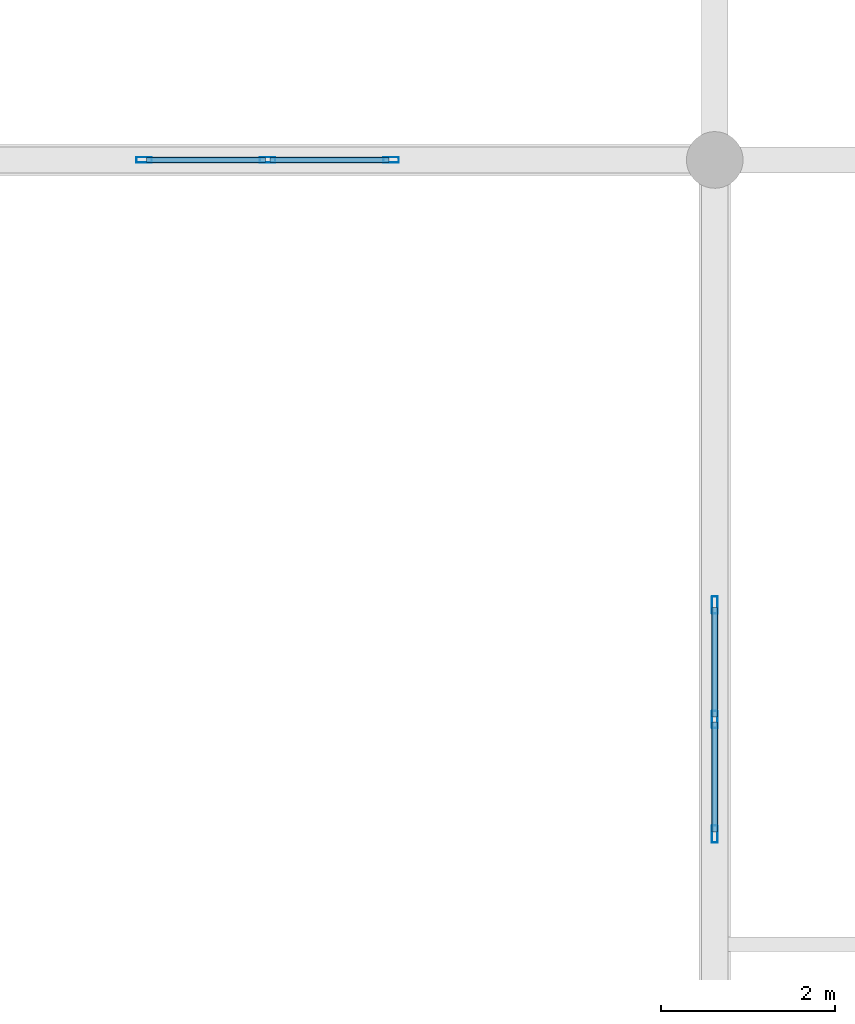
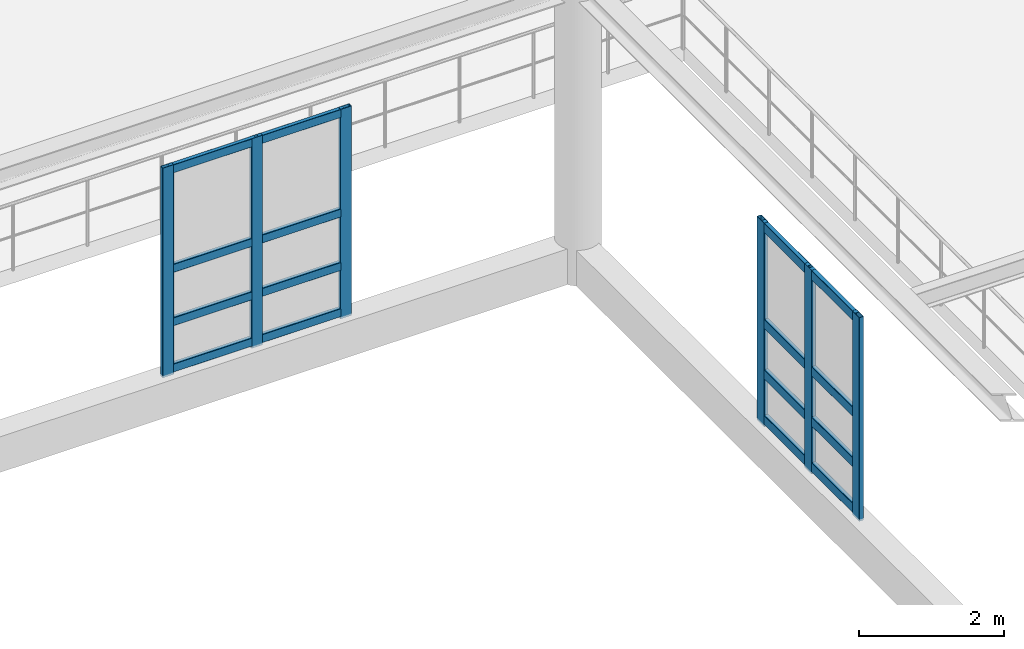
# One storey, part 77 of 197: 22 members, 2 elements without a shape of their own.
"""IFC4 building model written with IfcOpenShell, lengths in metres."""

from ifc_helpers import new_model, si_unit, derived_unit, direction, frame, origin, origin_2d, place, context, subcontext, project, spatial, hollow_rectangle, extrude, material, layer, layer_set, material_profile, profile_set, type_object, element, aggregate, save


model = new_model("IFC4")

# Units and contexts
model_context = context("Model", 3, precision=1e-05, world=origin(), true_north=direction((0.0, 1.0)))
body_context = subcontext(model_context, "Body", "Model", "MODEL_VIEW")
ifc_project = project(units=[si_unit("LENGTHUNIT", "METRE"), si_unit("AREAUNIT", "SQUARE_METRE"), si_unit("VOLUMEUNIT", "CUBIC_METRE"), si_unit("PLANEANGLEUNIT", "RADIAN"), si_unit("MASSUNIT", "GRAM", prefix="KILO"), derived_unit("THERMALTRANSMITTANCEUNIT", [(si_unit("POWERUNIT", "WATT"), 1), (si_unit("LENGTHUNIT", "METRE"), -2), (si_unit("THERMODYNAMICTEMPERATUREUNIT", "KELVIN"), -1)])], contexts=[model_context])

# Site, building, storey
site_placement = place(None, origin())
site = spatial("IfcSite", under=ifc_project, at=site_placement, CompositionType="ELEMENT")
building_placement = place(site_placement, origin())
building = spatial("IfcBuilding", under=site, at=building_placement, Name="Almenara Railside Exhibition Hall", CompositionType="ELEMENT")
storey_placement = place(building_placement, frame((0.0, 0.0, 5.39990234375)))
storey = spatial("IfcBuildingStorey", under=building, at=storey_placement, Name="L01", CompositionType="ELEMENT", Elevation=5.39990234375)

# Curtain wall, members
ifc_material_1 = material(Name="Bronze-anodised aluminium and low-E double glazing", Category="aluminium")
ifc_layer_1 = layer(ifc_material_1, 0.179931640625, Name="Bronze-anodised aluminium and low-E double glazing")
ifc_layer_set_1 = layer_set([ifc_layer_1], Name="Bronze-anodised aluminium and low-E double glazing")
curtain_wall_type_1 = type_object("IfcCurtainWallType", Name="Courtyard East Galeria Curtain Wall 2900x3500", PredefinedType="NOTDEFINED", material=ifc_layer_set_1)
curtain_wall_1_placement = place(storey_placement, origin())
curtain_wall_1 = element("IfcCurtainWall", 1, at=curtain_wall_1_placement, inside=storey, type_object=curtain_wall_type_1, Name="Curtain wall CW-CY2-152", PredefinedType="NOTDEFINED")
ifc_material_2 = material(Name="Bronze-anodised aluminium", Category="aluminium")
ifc_material_profile_1 = material_profile(ifc_material_2, hollow_rectangle(XDim=0.06494140625, YDim=0.179931640625, WallThickness=0.00390625, InnerFilletRadius=0.00390625, OuterFilletRadius=0.008056640625, at=origin_2d()), Name="ALU-MUL 65x180x4")
ifc_profile_set_1 = profile_set([ifc_material_profile_1], Name="Bronze-anodised aluminium")
member_type_1 = type_object("IfcMemberType", Name="Curtain Wall Mullion 65x180x4", PredefinedType="MULLION", material=ifc_profile_set_1)
member_1_placement = place(storey_placement, frame((116.28564453125, 90.0, 0.565185546875), z_axis=(0.0, 0.0, 1.0), x_axis=(0.0, -1.0, 0.0)))
member_1 = element("IfcMember", 2, at=member_1_placement, type_object=member_type_1, Name="CW-CY2-152 mullion 1", PredefinedType="MULLION", context=body_context, shape_type="SweptSolid", body=[
    extrude(hollow_rectangle(XDim=0.06494140625, YDim=0.179931640625, WallThickness=0.00390625, InnerFilletRadius=0.00390625, OuterFilletRadius=0.008056640625, at=origin_2d()), origin(), (0.0, 0.0, 1.0), 3.534912109375),
])
member_2_placement = place(storey_placement, frame((114.8681640625, 90.0, 0.565185546875), z_axis=(0.0, 0.0, 1.0), x_axis=(0.0, -1.0, 0.0)))
member_2 = element("IfcMember", 3, at=member_2_placement, type_object=member_type_1, Name="CW-CY2-152 mullion 2", PredefinedType="MULLION", context=body_context, shape_type="SweptSolid", body=[
    extrude(hollow_rectangle(XDim=0.06494140625, YDim=0.179931640625, WallThickness=0.00390625, InnerFilletRadius=0.00390625, OuterFilletRadius=0.008056640625, at=origin_2d()), origin(), (0.0, 0.0, 1.0), 3.534912109375),
])
member_3_placement = place(storey_placement, frame((113.45068359375, 90.0, 0.565185546875), z_axis=(0.0, 0.0, 1.0), x_axis=(0.0, -1.0, 0.0)))
member_3 = element("IfcMember", 4, at=member_3_placement, type_object=member_type_1, Name="CW-CY2-152 mullion 3", PredefinedType="MULLION", context=body_context, shape_type="SweptSolid", body=[
    extrude(hollow_rectangle(XDim=0.06494140625, YDim=0.179931640625, WallThickness=0.00390625, InnerFilletRadius=0.00390625, OuterFilletRadius=0.008056640625, at=origin_2d()), origin(), (0.0, 0.0, 1.0), 3.534912109375),
])

ifc_layer_2 = layer(ifc_material_1, 0.179931640625, Name="Bronze-anodised aluminium and low-E double glazing")
ifc_layer_set_2 = layer_set([ifc_layer_2], Name="Bronze-anodised aluminium and low-E double glazing")
curtain_wall_type_2 = type_object("IfcCurtainWallType", Name="Courtyard South Galeria Curtain Wall 2700x3400", PredefinedType="NOTDEFINED", material=ifc_layer_set_2)
curtain_wall_2_placement = place(storey_placement, origin())
curtain_wall_2 = element("IfcCurtainWall", 5, at=curtain_wall_2_placement, inside=storey, type_object=curtain_wall_type_2, Name="Curtain wall CW-CY3-151", PredefinedType="NOTDEFINED")
ifc_material_profile_2 = material_profile(ifc_material_2, hollow_rectangle(XDim=0.070068359375, YDim=0.199951171875, WallThickness=0.00439453125, InnerFilletRadius=0.00439453125, OuterFilletRadius=0.009033203125, at=origin_2d()), Name="ALU-MUL 70x200x4.5")
ifc_profile_set_2 = profile_set([ifc_material_profile_2], Name="Bronze-anodised aluminium")
member_type_2 = type_object("IfcMemberType", Name="Curtain Wall Mullion 70x200x4.5", PredefinedType="MULLION", material=ifc_profile_set_2)
member_4_placement = place(storey_placement, frame((120.0, 82.26220703125, 0.565185546875), z_axis=(0.0, 0.0, 1.0), x_axis=(-1.0, 0.0, 0.0)))
member_4 = element("IfcMember", 6, at=member_4_placement, type_object=member_type_2, Name="CW-CY3-151 mullion 1", PredefinedType="MULLION", context=body_context, shape_type="SweptSolid", body=[
    extrude(hollow_rectangle(XDim=0.070068359375, YDim=0.199951171875, WallThickness=0.00439453125, InnerFilletRadius=0.00439453125, OuterFilletRadius=0.009033203125, at=origin_2d()), origin(), (0.0, 0.0, 1.0), 3.434814453125),
])
member_5_placement = place(storey_placement, frame((120.0, 83.577392578125, 0.565185546875), z_axis=(0.0, 0.0, 1.0), x_axis=(-1.0, 0.0, 0.0)))
member_5 = element("IfcMember", 7, at=member_5_placement, type_object=member_type_2, Name="CW-CY3-151 mullion 2", PredefinedType="MULLION", context=body_context, shape_type="SweptSolid", body=[
    extrude(hollow_rectangle(XDim=0.070068359375, YDim=0.199951171875, WallThickness=0.00439453125, InnerFilletRadius=0.00439453125, OuterFilletRadius=0.009033203125, at=origin_2d()), origin(), (0.0, 0.0, 1.0), 3.434814453125),
])
member_6_placement = place(storey_placement, frame((120.0, 84.892333984375, 0.565185546875), z_axis=(0.0, 0.0, 1.0), x_axis=(-1.0, 0.0, 0.0)))
member_6 = element("IfcMember", 8, at=member_6_placement, type_object=member_type_2, Name="CW-CY3-151 mullion 3", PredefinedType="MULLION", context=body_context, shape_type="SweptSolid", body=[
    extrude(hollow_rectangle(XDim=0.070068359375, YDim=0.199951171875, WallThickness=0.00439453125, InnerFilletRadius=0.00439453125, OuterFilletRadius=0.009033203125, at=origin_2d()), origin(), (0.0, 0.0, 1.0), 3.434814453125),
])

# Member
ifc_material_profile_3 = material_profile(ifc_material_2, hollow_rectangle(XDim=0.06494140625, YDim=0.139892578125, WallThickness=0.00341796875, InnerFilletRadius=0.00341796875, OuterFilletRadius=0.007080078125, at=origin_2d()), Name="ALU-TRN 65x140x3.5")
ifc_profile_set_3 = profile_set([ifc_material_profile_3], Name="Bronze-anodised aluminium")
member_type_3 = type_object("IfcMemberType", Name="Curtain Wall Transom 65x140x3.5", PredefinedType="USERDEFINED", material=ifc_profile_set_3)
member_7_placement = place(storey_placement, frame((116.26123046875, 90.0, 0.670166015625), z_axis=(-1.0, 0.0, 0.0), x_axis=(0.0, -1.0, 0.0)))
member_7 = element("IfcMember", 9, at=member_7_placement, type_object=member_type_3, Name="CW-CY2-152 transom 1.1", ObjectType="TRANSOM", PredefinedType="USERDEFINED", context=body_context, shape_type="SweptSolid", body=[
    extrude(hollow_rectangle(XDim=0.06494140625, YDim=0.139892578125, WallThickness=0.00341796875, InnerFilletRadius=0.00341796875, OuterFilletRadius=0.007080078125, at=origin_2d()), origin(), (0.0, 0.0, 1.0), 1.36865234375),
])

member_8_placement = place(storey_placement, frame((116.26123046875, 90.0, 1.4501953125), z_axis=(-1.0, 0.0, 0.0), x_axis=(0.0, -1.0, 0.0)))
member_8 = element("IfcMember", 10, at=member_8_placement, type_object=member_type_3, Name="CW-CY2-152 transom 1.2", ObjectType="TRANSOM", PredefinedType="USERDEFINED", context=body_context, shape_type="SweptSolid", body=[
    extrude(hollow_rectangle(XDim=0.06494140625, YDim=0.139892578125, WallThickness=0.00341796875, InnerFilletRadius=0.00341796875, OuterFilletRadius=0.007080078125, at=origin_2d()), origin(), (0.0, 0.0, 1.0), 1.36865234375),
])

member_9_placement = place(storey_placement, frame((116.26123046875, 90.0, 2.35009765625), z_axis=(-1.0, 0.0, 0.0), x_axis=(0.0, -1.0, 0.0)))
member_9 = element("IfcMember", 11, at=member_9_placement, type_object=member_type_3, Name="CW-CY2-152 transom 1.3", ObjectType="TRANSOM", PredefinedType="USERDEFINED", context=body_context, shape_type="SweptSolid", body=[
    extrude(hollow_rectangle(XDim=0.06494140625, YDim=0.139892578125, WallThickness=0.00341796875, InnerFilletRadius=0.00341796875, OuterFilletRadius=0.007080078125, at=origin_2d()), origin(), (0.0, 0.0, 1.0), 1.36865234375),
])

member_10_placement = place(storey_placement, frame((116.26123046875, 90.0, 4.030029296875), z_axis=(-1.0, 0.0, 0.0), x_axis=(0.0, -1.0, 0.0)))
member_10 = element("IfcMember", 12, at=member_10_placement, type_object=member_type_3, Name="CW-CY2-152 transom 1.4", ObjectType="TRANSOM", PredefinedType="USERDEFINED", context=body_context, shape_type="SweptSolid", body=[
    extrude(hollow_rectangle(XDim=0.06494140625, YDim=0.139892578125, WallThickness=0.00341796875, InnerFilletRadius=0.00341796875, OuterFilletRadius=0.007080078125, at=origin_2d()), origin(), (0.0, 0.0, 1.0), 1.36865234375),
])

member_11_placement = place(storey_placement, frame((114.84375, 90.0, 0.670166015625), z_axis=(-1.0, 0.0, 0.0), x_axis=(0.0, -1.0, 0.0)))
member_11 = element("IfcMember", 13, at=member_11_placement, type_object=member_type_3, Name="CW-CY2-152 transom 2.1", ObjectType="TRANSOM", PredefinedType="USERDEFINED", context=body_context, shape_type="SweptSolid", body=[
    extrude(hollow_rectangle(XDim=0.06494140625, YDim=0.139892578125, WallThickness=0.00341796875, InnerFilletRadius=0.00341796875, OuterFilletRadius=0.007080078125, at=origin_2d()), origin(), (0.0, 0.0, 1.0), 1.36865234375),
])

member_12_placement = place(storey_placement, frame((114.84375, 90.0, 1.4501953125), z_axis=(-1.0, 0.0, 0.0), x_axis=(0.0, -1.0, 0.0)))
member_12 = element("IfcMember", 14, at=member_12_placement, type_object=member_type_3, Name="CW-CY2-152 transom 2.2", ObjectType="TRANSOM", PredefinedType="USERDEFINED", context=body_context, shape_type="SweptSolid", body=[
    extrude(hollow_rectangle(XDim=0.06494140625, YDim=0.139892578125, WallThickness=0.00341796875, InnerFilletRadius=0.00341796875, OuterFilletRadius=0.007080078125, at=origin_2d()), origin(), (0.0, 0.0, 1.0), 1.36865234375),
])

member_13_placement = place(storey_placement, frame((114.84375, 90.0, 2.35009765625), z_axis=(-1.0, 0.0, 0.0), x_axis=(0.0, -1.0, 0.0)))
member_13 = element("IfcMember", 15, at=member_13_placement, type_object=member_type_3, Name="CW-CY2-152 transom 2.3", ObjectType="TRANSOM", PredefinedType="USERDEFINED", context=body_context, shape_type="SweptSolid", body=[
    extrude(hollow_rectangle(XDim=0.06494140625, YDim=0.139892578125, WallThickness=0.00341796875, InnerFilletRadius=0.00341796875, OuterFilletRadius=0.007080078125, at=origin_2d()), origin(), (0.0, 0.0, 1.0), 1.36865234375),
])

member_14_placement = place(storey_placement, frame((114.84375, 90.0, 4.030029296875), z_axis=(-1.0, 0.0, 0.0), x_axis=(0.0, -1.0, 0.0)))
member_14 = element("IfcMember", 16, at=member_14_placement, type_object=member_type_3, Name="CW-CY2-152 transom 2.4", ObjectType="TRANSOM", PredefinedType="USERDEFINED", context=body_context, shape_type="SweptSolid", body=[
    extrude(hollow_rectangle(XDim=0.06494140625, YDim=0.139892578125, WallThickness=0.00341796875, InnerFilletRadius=0.00341796875, OuterFilletRadius=0.007080078125, at=origin_2d()), origin(), (0.0, 0.0, 1.0), 1.36865234375),
])

aggregate(curtain_wall_1, [member_1, member_2, member_3, member_7, member_8, member_9, member_10, member_11, member_12, member_13, member_14])

ifc_material_profile_4 = material_profile(ifc_material_2, hollow_rectangle(XDim=0.070068359375, YDim=0.159912109375, WallThickness=0.00390625, InnerFilletRadius=0.00390625, OuterFilletRadius=0.008056640625, at=origin_2d()), Name="ALU-TRN 70x160x4")
ifc_profile_set_4 = profile_set([ifc_material_profile_4], Name="Bronze-anodised aluminium")
member_type_4 = type_object("IfcMemberType", Name="Curtain Wall Transom 70x160x4", PredefinedType="USERDEFINED", material=ifc_profile_set_4)
member_15_placement = place(storey_placement, frame((120.0, 82.289306640625, 0.68017578125), z_axis=(0.0, 1.0, 0.0), x_axis=(-1.0, 0.0, 0.0)))
member_15 = element("IfcMember", 17, at=member_15_placement, type_object=member_type_4, Name="CW-CY3-151 transom 1.1", ObjectType="TRANSOM", PredefinedType="USERDEFINED", context=body_context, shape_type="SweptSolid", body=[
    extrude(hollow_rectangle(XDim=0.070068359375, YDim=0.159912109375, WallThickness=0.00390625, InnerFilletRadius=0.00390625, OuterFilletRadius=0.008056640625, at=origin_2d()), origin(), (0.0, 0.0, 1.0), 1.260986328125),
])

member_16_placement = place(storey_placement, frame((120.0, 82.289306640625, 1.4501953125), z_axis=(0.0, 1.0, 0.0), x_axis=(-1.0, 0.0, 0.0)))
member_16 = element("IfcMember", 18, at=member_16_placement, type_object=member_type_4, Name="CW-CY3-151 transom 1.2", ObjectType="TRANSOM", PredefinedType="USERDEFINED", context=body_context, shape_type="SweptSolid", body=[
    extrude(hollow_rectangle(XDim=0.070068359375, YDim=0.159912109375, WallThickness=0.00390625, InnerFilletRadius=0.00390625, OuterFilletRadius=0.008056640625, at=origin_2d()), origin(), (0.0, 0.0, 1.0), 1.260986328125),
])

member_17_placement = place(storey_placement, frame((120.0, 82.289306640625, 2.300048828125), z_axis=(0.0, 1.0, 0.0), x_axis=(-1.0, 0.0, 0.0)))
member_17 = element("IfcMember", 19, at=member_17_placement, type_object=member_type_4, Name="CW-CY3-151 transom 1.3", ObjectType="TRANSOM", PredefinedType="USERDEFINED", context=body_context, shape_type="SweptSolid", body=[
    extrude(hollow_rectangle(XDim=0.070068359375, YDim=0.159912109375, WallThickness=0.00390625, InnerFilletRadius=0.00390625, OuterFilletRadius=0.008056640625, at=origin_2d()), origin(), (0.0, 0.0, 1.0), 1.260986328125),
])

member_18_placement = place(storey_placement, frame((120.0, 82.289306640625, 3.920166015625), z_axis=(0.0, 1.0, 0.0), x_axis=(-1.0, 0.0, 0.0)))
member_18 = element("IfcMember", 20, at=member_18_placement, type_object=member_type_4, Name="CW-CY3-151 transom 1.4", ObjectType="TRANSOM", PredefinedType="USERDEFINED", context=body_context, shape_type="SweptSolid", body=[
    extrude(hollow_rectangle(XDim=0.070068359375, YDim=0.159912109375, WallThickness=0.00390625, InnerFilletRadius=0.00390625, OuterFilletRadius=0.008056640625, at=origin_2d()), origin(), (0.0, 0.0, 1.0), 1.260986328125),
])

member_19_placement = place(storey_placement, frame((120.0, 83.604248046875, 0.68017578125), z_axis=(0.0, 1.0, 0.0), x_axis=(-1.0, 0.0, 0.0)))
member_19 = element("IfcMember", 21, at=member_19_placement, type_object=member_type_4, Name="CW-CY3-151 transom 2.1", ObjectType="TRANSOM", PredefinedType="USERDEFINED", context=body_context, shape_type="SweptSolid", body=[
    extrude(hollow_rectangle(XDim=0.070068359375, YDim=0.159912109375, WallThickness=0.00390625, InnerFilletRadius=0.00390625, OuterFilletRadius=0.008056640625, at=origin_2d()), origin(), (0.0, 0.0, 1.0), 1.260986328125),
])

member_20_placement = place(storey_placement, frame((120.0, 83.604248046875, 1.4501953125), z_axis=(0.0, 1.0, 0.0), x_axis=(-1.0, 0.0, 0.0)))
member_20 = element("IfcMember", 22, at=member_20_placement, type_object=member_type_4, Name="CW-CY3-151 transom 2.2", ObjectType="TRANSOM", PredefinedType="USERDEFINED", context=body_context, shape_type="SweptSolid", body=[
    extrude(hollow_rectangle(XDim=0.070068359375, YDim=0.159912109375, WallThickness=0.00390625, InnerFilletRadius=0.00390625, OuterFilletRadius=0.008056640625, at=origin_2d()), origin(), (0.0, 0.0, 1.0), 1.260986328125),
])

member_21_placement = place(storey_placement, frame((120.0, 83.604248046875, 2.300048828125), z_axis=(0.0, 1.0, 0.0), x_axis=(-1.0, 0.0, 0.0)))
member_21 = element("IfcMember", 23, at=member_21_placement, type_object=member_type_4, Name="CW-CY3-151 transom 2.3", ObjectType="TRANSOM", PredefinedType="USERDEFINED", context=body_context, shape_type="SweptSolid", body=[
    extrude(hollow_rectangle(XDim=0.070068359375, YDim=0.159912109375, WallThickness=0.00390625, InnerFilletRadius=0.00390625, OuterFilletRadius=0.008056640625, at=origin_2d()), origin(), (0.0, 0.0, 1.0), 1.260986328125),
])

member_22_placement = place(storey_placement, frame((120.0, 83.604248046875, 3.920166015625), z_axis=(0.0, 1.0, 0.0), x_axis=(-1.0, 0.0, 0.0)))
member_22 = element("IfcMember", 24, at=member_22_placement, type_object=member_type_4, Name="CW-CY3-151 transom 2.4", ObjectType="TRANSOM", PredefinedType="USERDEFINED", context=body_context, shape_type="SweptSolid", body=[
    extrude(hollow_rectangle(XDim=0.070068359375, YDim=0.159912109375, WallThickness=0.00390625, InnerFilletRadius=0.00390625, OuterFilletRadius=0.008056640625, at=origin_2d()), origin(), (0.0, 0.0, 1.0), 1.260986328125),
])

aggregate(curtain_wall_2, [member_4, member_5, member_6, member_15, member_16, member_17, member_18, member_19, member_20, member_21, member_22])

save(model, "model.ifc")
